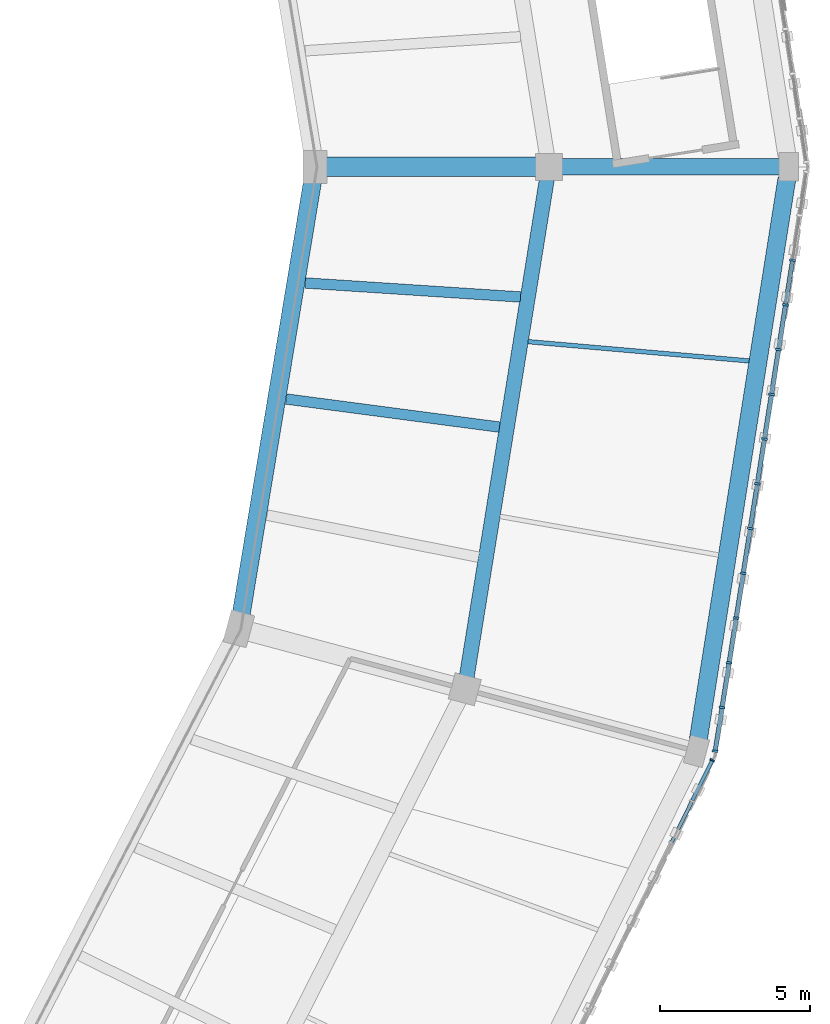
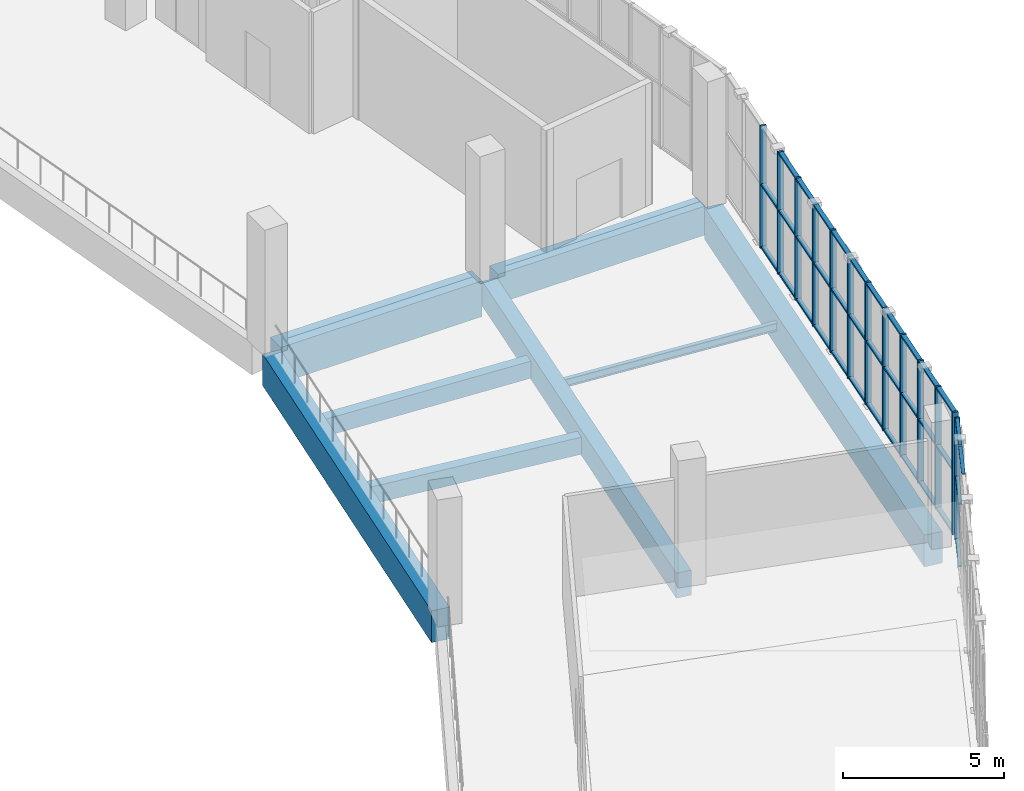
# One storey, part 19 of 64: 49 members, 8 beams, 2 elements without a shape of their own.
"""IFC4 building model written with IfcOpenShell, lengths in metres."""

from ifc_helpers import new_model, si_unit, direction, frame, origin, origin_2d, place, context, subcontext, project, spatial, rectangle, i_section, extrude, material, material_profile, profile_set, type_object, element, aggregate, save


model = new_model("IFC4")

# Units and contexts
model_context = context("Model", 3, precision=1e-05, world=origin(), true_north=direction((0.0, 1.0)))
body_context = subcontext(model_context, "Body", "Model", "MODEL_VIEW")
ifc_project = project(units=[si_unit("LENGTHUNIT", "METRE"), si_unit("AREAUNIT", "SQUARE_METRE"), si_unit("VOLUMEUNIT", "CUBIC_METRE"), si_unit("PLANEANGLEUNIT", "RADIAN"), si_unit("MASSUNIT", "GRAM", prefix="KILO")], contexts=[model_context])

# Site, building, storey
site_placement = place(None, origin())
site = spatial("IfcSite", under=ifc_project, at=site_placement, CompositionType="ELEMENT")
building_placement = place(site_placement, origin())
building = spatial("IfcBuilding", under=site, at=building_placement, Name="Zevraka Park Crest Stadium", CompositionType="ELEMENT")
storey_placement = place(building_placement, frame((0.0, 0.0, 24.60009765625)))
storey = spatial("IfcBuildingStorey", under=building, at=storey_placement, Name="L05", CompositionType="ELEMENT", Elevation=24.60009765625)

# Beams
ifc_material_1 = material(Name="Concrete C40/50", Category="concrete")
ifc_material_profile_1 = material_profile(ifc_material_1, rectangle(XDim=0.64990234375, YDim=1.35009765625, at=origin_2d()), Name="RC 1350x650")
ifc_profile_set_1 = profile_set([ifc_material_profile_1], Name="Concrete C40/50")
beam_type_1 = type_object("IfcBeamType", Name="BG01", PredefinedType="BEAM", material=ifc_profile_set_1)
beam_1_placement = place(storey_placement, frame((186.800048828125, 92.0, -0.68505859375), z_axis=(1.0, 0.0, 0.0), x_axis=(0.0, 1.0, 0.0)))
element("IfcBeam", 1, at=beam_1_placement, inside=storey, type_object=beam_type_1, Name="Radial Girder BG01 L05-BC-00", PredefinedType="BEAM", context=body_context, shape_type="SweptSolid", body=[
    extrude(rectangle(XDim=0.64990234375, YDim=1.35009765625, at=origin_2d()), origin(), (0.0, 0.0, 1.0), 7.199951171875),
])
ifc_material_2 = material(Name="Concrete C40/50", Category="concrete")
ifc_material_profile_2 = material_profile(ifc_material_2, rectangle(XDim=0.550048828125, YDim=1.10009765625, at=origin_2d()), Name="RC 1100x550")
ifc_profile_set_2 = profile_set([ifc_material_profile_2], Name="Concrete C40/50")
beam_type_2 = type_object("IfcBeamType", Name="BG02", PredefinedType="BEAM", material=ifc_profile_set_2)
beam_2_placement = place(storey_placement, frame((194.60009765625, 92.0, -0.56005859375), z_axis=(1.0, 0.0, 0.0), x_axis=(0.0, 1.0, 0.0)))
element("IfcBeam", 2, at=beam_2_placement, inside=storey, type_object=beam_type_2, Name="Radial Girder BG02 L05-CD-00", PredefinedType="BEAM", context=body_context, shape_type="SweptSolid", body=[
    extrude(rectangle(XDim=0.550048828125, YDim=1.10009765625, at=origin_2d()), origin(), (0.0, 0.0, 1.0), 7.39990234375),
])

# Curtain wall, member
ifc_material_3 = material(Name="Anodised architectural aluminium and laminated safety glass", Category="aluminium")
curtain_wall_type_1 = type_object("IfcCurtainWallType", Name="CW22", PredefinedType="NOTDEFINED", material=ifc_material_3)
curtain_wall_1_placement = place(storey_placement, origin())
curtain_wall_1 = element("IfcCurtainWall", 3, at=curtain_wall_1_placement, inside=storey, type_object=curtain_wall_type_1, Name="Unitised Ring Curtain Wall CW22 L05-22", PredefinedType="NOTDEFINED")
ifc_material_4 = material(Name="Anodised architectural aluminium", Category="aluminium")
ifc_material_profile_3 = material_profile(ifc_material_4, rectangle(XDim=0.159912109375, YDim=0.06005859375, at=origin_2d()), Name="ALU MULLION 160x60")
ifc_profile_set_3 = profile_set([ifc_material_profile_3], Name="Anodised architectural aluminium")
member_type_1 = type_object("IfcMemberType", Name="CM01", PredefinedType="MULLION", material=ifc_profile_set_3)
member_1_placement = place(storey_placement, frame((199.751708984375, 72.213134765625, 0.0), z_axis=(0.0, 0.0, 1.0), x_axis=(-0.895879320455, 0.444297471499, 0.0)))
member_1 = element("IfcMember", 4, at=member_1_placement, type_object=member_type_1, Name="CW22 mullion 14", PredefinedType="MULLION", context=body_context, shape_type="SweptSolid", body=[
    extrude(rectangle(XDim=0.159912109375, YDim=0.06005859375, at=origin_2d()), origin(), (0.0, 0.0, 1.0), 4.619873046875),
])

# Curtain wall, members
ifc_material_5 = material(Name="Anodised architectural aluminium and laminated safety glass", Category="aluminium")
curtain_wall_type_2 = type_object("IfcCurtainWallType", Name="CW21", PredefinedType="NOTDEFINED", material=ifc_material_5)
curtain_wall_2_placement = place(storey_placement, origin())
curtain_wall_2 = element("IfcCurtainWall", 5, at=curtain_wall_2_placement, inside=storey, type_object=curtain_wall_type_2, Name="Unitised Ring Curtain Wall CW21 L05-23", PredefinedType="NOTDEFINED")
ifc_material_6 = material(Name="Anodised architectural aluminium", Category="aluminium")
ifc_material_profile_4 = material_profile(ifc_material_6, rectangle(XDim=0.199951171875, YDim=0.070068359375, at=origin_2d()), Name="ALU MULLION 200x70")
ifc_profile_set_4 = profile_set([ifc_material_profile_4], Name="Anodised architectural aluminium")
member_type_2 = type_object("IfcMemberType", Name="CM03", PredefinedType="MULLION", material=ifc_profile_set_4)
member_2_placement = place(storey_placement, frame((199.847412109375, 72.515625, 0.0), z_axis=(0.0, 0.0, 1.0), x_axis=(-0.987802580924, 0.155711467527, 0.0)))
member_2 = element("IfcMember", 6, at=member_2_placement, type_object=member_type_2, Name="CW21 mullion 1", PredefinedType="MULLION", context=body_context, shape_type="SweptSolid", body=[
    extrude(rectangle(XDim=0.199951171875, YDim=0.070068359375, at=origin_2d()), origin(), (0.0, 0.0, 1.0), 4.619873046875),
])
member_3_placement = place(storey_placement, frame((200.0771484375, 73.97265625, 0.0), z_axis=(0.0, 0.0, 1.0), x_axis=(-0.987802580924, 0.155711467527, 0.0)))
member_3 = element("IfcMember", 7, at=member_3_placement, type_object=member_type_2, Name="CW21 mullion 2", PredefinedType="MULLION", context=body_context, shape_type="SweptSolid", body=[
    extrude(rectangle(XDim=0.199951171875, YDim=0.070068359375, at=origin_2d()), origin(), (0.0, 0.0, 1.0), 4.619873046875),
])
member_4_placement = place(storey_placement, frame((200.312255859375, 75.464599609375, 0.0), z_axis=(0.0, 0.0, 1.0), x_axis=(-0.987802580924, 0.155711467527, 0.0)))
member_4 = element("IfcMember", 8, at=member_4_placement, type_object=member_type_2, Name="CW21 mullion 3", PredefinedType="MULLION", context=body_context, shape_type="SweptSolid", body=[
    extrude(rectangle(XDim=0.199951171875, YDim=0.070068359375, at=origin_2d()), origin(), (0.0, 0.0, 1.0), 4.619873046875),
])
member_5_placement = place(storey_placement, frame((200.54736328125, 76.956298828125, 0.0), z_axis=(0.0, 0.0, 1.0), x_axis=(-0.987802580924, 0.155711467527, 0.0)))
member_5 = element("IfcMember", 9, at=member_5_placement, type_object=member_type_2, Name="CW21 mullion 4", PredefinedType="MULLION", context=body_context, shape_type="SweptSolid", body=[
    extrude(rectangle(XDim=0.199951171875, YDim=0.070068359375, at=origin_2d()), origin(), (0.0, 0.0, 1.0), 4.619873046875),
])
member_6_placement = place(storey_placement, frame((200.78271484375, 78.447998046875, 0.0), z_axis=(0.0, 0.0, 1.0), x_axis=(-0.987802580924, 0.155711467527, 0.0)))
member_6 = element("IfcMember", 10, at=member_6_placement, type_object=member_type_2, Name="CW21 mullion 5", PredefinedType="MULLION", context=body_context, shape_type="SweptSolid", body=[
    extrude(rectangle(XDim=0.199951171875, YDim=0.070068359375, at=origin_2d()), origin(), (0.0, 0.0, 1.0), 4.619873046875),
])
member_7_placement = place(storey_placement, frame((201.017822265625, 79.93994140625, 0.0), z_axis=(0.0, 0.0, 1.0), x_axis=(-0.987802580924, 0.155711467527, 0.0)))
member_7 = element("IfcMember", 11, at=member_7_placement, type_object=member_type_2, Name="CW21 mullion 6", PredefinedType="MULLION", context=body_context, shape_type="SweptSolid", body=[
    extrude(rectangle(XDim=0.199951171875, YDim=0.070068359375, at=origin_2d()), origin(), (0.0, 0.0, 1.0), 4.619873046875),
])
member_8_placement = place(storey_placement, frame((201.2529296875, 81.431640625, 0.0), z_axis=(0.0, 0.0, 1.0), x_axis=(-0.987802580924, 0.155711467527, 0.0)))
member_8 = element("IfcMember", 12, at=member_8_placement, type_object=member_type_2, Name="CW21 mullion 7", PredefinedType="MULLION", context=body_context, shape_type="SweptSolid", body=[
    extrude(rectangle(XDim=0.199951171875, YDim=0.070068359375, at=origin_2d()), origin(), (0.0, 0.0, 1.0), 4.619873046875),
])
member_9_placement = place(storey_placement, frame((201.488037109375, 82.92333984375, 0.0), z_axis=(0.0, 0.0, 1.0), x_axis=(-0.987802580924, 0.155711467527, 0.0)))
member_9 = element("IfcMember", 13, at=member_9_placement, type_object=member_type_2, Name="CW21 mullion 8", PredefinedType="MULLION", context=body_context, shape_type="SweptSolid", body=[
    extrude(rectangle(XDim=0.199951171875, YDim=0.070068359375, at=origin_2d()), origin(), (0.0, 0.0, 1.0), 4.619873046875),
])
member_10_placement = place(storey_placement, frame((201.72314453125, 84.4150390625, 0.0), z_axis=(0.0, 0.0, 1.0), x_axis=(-0.987802580924, 0.155711467527, 0.0)))
member_10 = element("IfcMember", 14, at=member_10_placement, type_object=member_type_2, Name="CW21 mullion 9", PredefinedType="MULLION", context=body_context, shape_type="SweptSolid", body=[
    extrude(rectangle(XDim=0.199951171875, YDim=0.070068359375, at=origin_2d()), origin(), (0.0, 0.0, 1.0), 4.619873046875),
])
member_11_placement = place(storey_placement, frame((201.95849609375, 85.906982421875, 0.0), z_axis=(0.0, 0.0, 1.0), x_axis=(-0.987802580924, 0.155711467527, 0.0)))
member_11 = element("IfcMember", 15, at=member_11_placement, type_object=member_type_2, Name="CW21 mullion 10", PredefinedType="MULLION", context=body_context, shape_type="SweptSolid", body=[
    extrude(rectangle(XDim=0.199951171875, YDim=0.070068359375, at=origin_2d()), origin(), (0.0, 0.0, 1.0), 4.619873046875),
])
member_12_placement = place(storey_placement, frame((202.193603515625, 87.398681640625, 0.0), z_axis=(0.0, 0.0, 1.0), x_axis=(-0.987802580924, 0.155711467527, 0.0)))
member_12 = element("IfcMember", 16, at=member_12_placement, type_object=member_type_2, Name="CW21 mullion 11", PredefinedType="MULLION", context=body_context, shape_type="SweptSolid", body=[
    extrude(rectangle(XDim=0.199951171875, YDim=0.070068359375, at=origin_2d()), origin(), (0.0, 0.0, 1.0), 4.619873046875),
])
member_13_placement = place(storey_placement, frame((202.4287109375, 88.890380859375, 0.0), z_axis=(0.0, 0.0, 1.0), x_axis=(-0.987802580924, 0.155711467527, 0.0)))
member_13 = element("IfcMember", 17, at=member_13_placement, type_object=member_type_2, Name="CW21 mullion 12", PredefinedType="MULLION", context=body_context, shape_type="SweptSolid", body=[
    extrude(rectangle(XDim=0.199951171875, YDim=0.070068359375, at=origin_2d()), origin(), (0.0, 0.0, 1.0), 4.619873046875),
])

# Member
ifc_material_7 = material(Name="Anodised architectural aluminium", Category="aluminium")
ifc_material_profile_5 = material_profile(ifc_material_7, rectangle(XDim=0.1201171875, YDim=0.06005859375, at=origin_2d()), Name="ALU TRANSOM 120x60")
ifc_profile_set_5 = profile_set([ifc_material_profile_5], Name="Anodised architectural aluminium")
member_type_3 = type_object("IfcMemberType", Name="CT01", PredefinedType="USERDEFINED", material=ifc_profile_set_5)
member_14_placement = place(storey_placement, frame((198.39892578125, 69.485595703125, 4.58984375), z_axis=(0.444331954809, 0.895862218165, 0.0), x_axis=(-0.895862218165, 0.444331954809, 0.0)))
member_14 = element("IfcMember", 18, at=member_14_placement, type_object=member_type_3, Name="CW22 transom 12.3", ObjectType="TRANSOM", PredefinedType="USERDEFINED", context=body_context, shape_type="SweptSolid", body=[
    extrude(rectangle(XDim=0.1201171875, YDim=0.06005859375, at=origin_2d()), origin(), (0.0, 0.0, 1.0), 1.492431640625),
])

member_15_placement = place(storey_placement, frame((199.088623046875, 70.876220703125, 0.02978515625), z_axis=(0.444272737826, 0.895891586312, 0.0), x_axis=(-0.895891586312, 0.444272737826, 0.0)))
member_15 = element("IfcMember", 19, at=member_15_placement, type_object=member_type_3, Name="CW22 transom 13.1", ObjectType="TRANSOM", PredefinedType="USERDEFINED", context=body_context, shape_type="SweptSolid", body=[
    extrude(rectangle(XDim=0.1201171875, YDim=0.06005859375, at=origin_2d()), origin(), (0.0, 0.0, 1.0), 1.46240234375),
])

member_16_placement = place(storey_placement, frame((199.088623046875, 70.876220703125, 2.39990234375), z_axis=(0.444272737826, 0.895891586312, 0.0), x_axis=(-0.895891586312, 0.444272737826, 0.0)))
member_16 = element("IfcMember", 20, at=member_16_placement, type_object=member_type_3, Name="CW22 transom 13.2", ObjectType="TRANSOM", PredefinedType="USERDEFINED", context=body_context, shape_type="SweptSolid", body=[
    extrude(rectangle(XDim=0.1201171875, YDim=0.06005859375, at=origin_2d()), origin(), (0.0, 0.0, 1.0), 1.46240234375),
])

member_17_placement = place(storey_placement, frame((199.088623046875, 70.876220703125, 4.58984375), z_axis=(0.444272737826, 0.895891586312, 0.0), x_axis=(-0.895891586312, 0.444272737826, 0.0)))
member_17 = element("IfcMember", 21, at=member_17_placement, type_object=member_type_3, Name="CW22 transom 13.3", ObjectType="TRANSOM", PredefinedType="USERDEFINED", context=body_context, shape_type="SweptSolid", body=[
    extrude(rectangle(XDim=0.1201171875, YDim=0.06005859375, at=origin_2d()), origin(), (0.0, 0.0, 1.0), 1.46240234375),
])

aggregate(curtain_wall_1, [member_1, member_14, member_15, member_16, member_17])

ifc_material_8 = material(Name="Anodised architectural aluminium", Category="aluminium")
ifc_material_profile_6 = material_profile(ifc_material_8, rectangle(XDim=0.14990234375, YDim=0.070068359375, at=origin_2d()), Name="ALU TRANSOM 150x70")
ifc_profile_set_6 = profile_set([ifc_material_profile_6], Name="Anodised architectural aluminium")
member_type_4 = type_object("IfcMemberType", Name="CT03", PredefinedType="USERDEFINED", material=ifc_profile_set_6)
member_18_placement = place(storey_placement, frame((199.852783203125, 72.550048828125, 0.034912109375), z_axis=(0.155828759043, 0.987784084634, 0.0), x_axis=(-0.987784084634, 0.155828759043, 0.0)))
member_18 = element("IfcMember", 22, at=member_18_placement, type_object=member_type_4, Name="CW21 transom 1.1", ObjectType="TRANSOM", PredefinedType="USERDEFINED", context=body_context, shape_type="SweptSolid", body=[
    extrude(rectangle(XDim=0.14990234375, YDim=0.070068359375, at=origin_2d()), origin(), (0.0, 0.0, 1.0), 1.4052734375),
])

member_19_placement = place(storey_placement, frame((199.852783203125, 72.550048828125, 2.39990234375), z_axis=(0.155828759043, 0.987784084634, 0.0), x_axis=(-0.987784084634, 0.155828759043, 0.0)))
member_19 = element("IfcMember", 23, at=member_19_placement, type_object=member_type_4, Name="CW21 transom 1.2", ObjectType="TRANSOM", PredefinedType="USERDEFINED", context=body_context, shape_type="SweptSolid", body=[
    extrude(rectangle(XDim=0.14990234375, YDim=0.070068359375, at=origin_2d()), origin(), (0.0, 0.0, 1.0), 1.4052734375),
])

member_20_placement = place(storey_placement, frame((199.852783203125, 72.550048828125, 4.5849609375), z_axis=(0.155828759043, 0.987784084634, 0.0), x_axis=(-0.987784084634, 0.155828759043, 0.0)))
member_20 = element("IfcMember", 24, at=member_20_placement, type_object=member_type_4, Name="CW21 transom 1.3", ObjectType="TRANSOM", PredefinedType="USERDEFINED", context=body_context, shape_type="SweptSolid", body=[
    extrude(rectangle(XDim=0.14990234375, YDim=0.070068359375, at=origin_2d()), origin(), (0.0, 0.0, 1.0), 1.4052734375),
])

member_21_placement = place(storey_placement, frame((200.08251953125, 74.00732421875, 0.034912109375), z_axis=(0.155788469887, 0.987790439643, 0.0), x_axis=(-0.987790439643, 0.155788469887, 0.0)))
member_21 = element("IfcMember", 25, at=member_21_placement, type_object=member_type_4, Name="CW21 transom 2.1", ObjectType="TRANSOM", PredefinedType="USERDEFINED", context=body_context, shape_type="SweptSolid", body=[
    extrude(rectangle(XDim=0.14990234375, YDim=0.070068359375, at=origin_2d()), origin(), (0.0, 0.0, 1.0), 1.440185546875),
])

member_22_placement = place(storey_placement, frame((200.08251953125, 74.00732421875, 2.39990234375), z_axis=(0.155788469887, 0.987790439643, 0.0), x_axis=(-0.987790439643, 0.155788469887, 0.0)))
member_22 = element("IfcMember", 26, at=member_22_placement, type_object=member_type_4, Name="CW21 transom 2.2", ObjectType="TRANSOM", PredefinedType="USERDEFINED", context=body_context, shape_type="SweptSolid", body=[
    extrude(rectangle(XDim=0.14990234375, YDim=0.070068359375, at=origin_2d()), origin(), (0.0, 0.0, 1.0), 1.440185546875),
])

member_23_placement = place(storey_placement, frame((200.08251953125, 74.00732421875, 4.5849609375), z_axis=(0.155788469887, 0.987790439643, 0.0), x_axis=(-0.987790439643, 0.155788469887, 0.0)))
member_23 = element("IfcMember", 27, at=member_23_placement, type_object=member_type_4, Name="CW21 transom 2.3", ObjectType="TRANSOM", PredefinedType="USERDEFINED", context=body_context, shape_type="SweptSolid", body=[
    extrude(rectangle(XDim=0.14990234375, YDim=0.070068359375, at=origin_2d()), origin(), (0.0, 0.0, 1.0), 1.440185546875),
])

member_24_placement = place(storey_placement, frame((200.31787109375, 75.4990234375, 0.034912109375), z_axis=(0.155623058031, 0.98781651323, 0.0), x_axis=(-0.98781651323, 0.155623058031, 0.0)))
member_24 = element("IfcMember", 28, at=member_24_placement, type_object=member_type_4, Name="CW21 transom 3.1", ObjectType="TRANSOM", PredefinedType="USERDEFINED", context=body_context, shape_type="SweptSolid", body=[
    extrude(rectangle(XDim=0.14990234375, YDim=0.070068359375, at=origin_2d()), origin(), (0.0, 0.0, 1.0), 1.440185546875),
])

member_25_placement = place(storey_placement, frame((200.31787109375, 75.4990234375, 2.39990234375), z_axis=(0.155623058031, 0.98781651323, 0.0), x_axis=(-0.98781651323, 0.155623058031, 0.0)))
member_25 = element("IfcMember", 29, at=member_25_placement, type_object=member_type_4, Name="CW21 transom 3.2", ObjectType="TRANSOM", PredefinedType="USERDEFINED", context=body_context, shape_type="SweptSolid", body=[
    extrude(rectangle(XDim=0.14990234375, YDim=0.070068359375, at=origin_2d()), origin(), (0.0, 0.0, 1.0), 1.440185546875),
])

member_26_placement = place(storey_placement, frame((200.31787109375, 75.4990234375, 4.5849609375), z_axis=(0.155623058031, 0.98781651323, 0.0), x_axis=(-0.98781651323, 0.155623058031, 0.0)))
member_26 = element("IfcMember", 30, at=member_26_placement, type_object=member_type_4, Name="CW21 transom 3.3", ObjectType="TRANSOM", PredefinedType="USERDEFINED", context=body_context, shape_type="SweptSolid", body=[
    extrude(rectangle(XDim=0.14990234375, YDim=0.070068359375, at=origin_2d()), origin(), (0.0, 0.0, 1.0), 1.440185546875),
])

member_27_placement = place(storey_placement, frame((200.552978515625, 76.990966796875, 0.034912109375), z_axis=(0.155623058031, 0.98781651323, 0.0), x_axis=(-0.98781651323, 0.155623058031, 0.0)))
member_27 = element("IfcMember", 31, at=member_27_placement, type_object=member_type_4, Name="CW21 transom 4.1", ObjectType="TRANSOM", PredefinedType="USERDEFINED", context=body_context, shape_type="SweptSolid", body=[
    extrude(rectangle(XDim=0.14990234375, YDim=0.070068359375, at=origin_2d()), origin(), (0.0, 0.0, 1.0), 1.440185546875),
])

member_28_placement = place(storey_placement, frame((200.552978515625, 76.990966796875, 2.39990234375), z_axis=(0.155623058031, 0.98781651323, 0.0), x_axis=(-0.98781651323, 0.155623058031, 0.0)))
member_28 = element("IfcMember", 32, at=member_28_placement, type_object=member_type_4, Name="CW21 transom 4.2", ObjectType="TRANSOM", PredefinedType="USERDEFINED", context=body_context, shape_type="SweptSolid", body=[
    extrude(rectangle(XDim=0.14990234375, YDim=0.070068359375, at=origin_2d()), origin(), (0.0, 0.0, 1.0), 1.440185546875),
])

member_29_placement = place(storey_placement, frame((200.552978515625, 76.990966796875, 4.5849609375), z_axis=(0.155623058031, 0.98781651323, 0.0), x_axis=(-0.98781651323, 0.155623058031, 0.0)))
member_29 = element("IfcMember", 33, at=member_29_placement, type_object=member_type_4, Name="CW21 transom 4.3", ObjectType="TRANSOM", PredefinedType="USERDEFINED", context=body_context, shape_type="SweptSolid", body=[
    extrude(rectangle(XDim=0.14990234375, YDim=0.070068359375, at=origin_2d()), origin(), (0.0, 0.0, 1.0), 1.440185546875),
])

member_30_placement = place(storey_placement, frame((200.7880859375, 78.482666015625, 0.034912109375), z_axis=(0.155623058031, 0.98781651323, 0.0), x_axis=(-0.98781651323, 0.155623058031, 0.0)))
member_30 = element("IfcMember", 34, at=member_30_placement, type_object=member_type_4, Name="CW21 transom 5.1", ObjectType="TRANSOM", PredefinedType="USERDEFINED", context=body_context, shape_type="SweptSolid", body=[
    extrude(rectangle(XDim=0.14990234375, YDim=0.070068359375, at=origin_2d()), origin(), (0.0, 0.0, 1.0), 1.440185546875),
])

member_31_placement = place(storey_placement, frame((200.7880859375, 78.482666015625, 2.39990234375), z_axis=(0.155623058031, 0.98781651323, 0.0), x_axis=(-0.98781651323, 0.155623058031, 0.0)))
member_31 = element("IfcMember", 35, at=member_31_placement, type_object=member_type_4, Name="CW21 transom 5.2", ObjectType="TRANSOM", PredefinedType="USERDEFINED", context=body_context, shape_type="SweptSolid", body=[
    extrude(rectangle(XDim=0.14990234375, YDim=0.070068359375, at=origin_2d()), origin(), (0.0, 0.0, 1.0), 1.440185546875),
])

member_32_placement = place(storey_placement, frame((200.7880859375, 78.482666015625, 4.5849609375), z_axis=(0.155623058031, 0.98781651323, 0.0), x_axis=(-0.98781651323, 0.155623058031, 0.0)))
member_32 = element("IfcMember", 36, at=member_32_placement, type_object=member_type_4, Name="CW21 transom 5.3", ObjectType="TRANSOM", PredefinedType="USERDEFINED", context=body_context, shape_type="SweptSolid", body=[
    extrude(rectangle(XDim=0.14990234375, YDim=0.070068359375, at=origin_2d()), origin(), (0.0, 0.0, 1.0), 1.440185546875),
])

member_33_placement = place(storey_placement, frame((201.023193359375, 79.974365234375, 0.034912109375), z_axis=(0.155788469887, 0.987790439643, 0.0), x_axis=(-0.987790439643, 0.155788469887, 0.0)))
member_33 = element("IfcMember", 37, at=member_33_placement, type_object=member_type_4, Name="CW21 transom 6.1", ObjectType="TRANSOM", PredefinedType="USERDEFINED", context=body_context, shape_type="SweptSolid", body=[
    extrude(rectangle(XDim=0.14990234375, YDim=0.070068359375, at=origin_2d()), origin(), (0.0, 0.0, 1.0), 1.440185546875),
])

member_34_placement = place(storey_placement, frame((201.023193359375, 79.974365234375, 2.39990234375), z_axis=(0.155788469887, 0.987790439643, 0.0), x_axis=(-0.987790439643, 0.155788469887, 0.0)))
member_34 = element("IfcMember", 38, at=member_34_placement, type_object=member_type_4, Name="CW21 transom 6.2", ObjectType="TRANSOM", PredefinedType="USERDEFINED", context=body_context, shape_type="SweptSolid", body=[
    extrude(rectangle(XDim=0.14990234375, YDim=0.070068359375, at=origin_2d()), origin(), (0.0, 0.0, 1.0), 1.440185546875),
])

member_35_placement = place(storey_placement, frame((201.023193359375, 79.974365234375, 4.5849609375), z_axis=(0.155788469887, 0.987790439643, 0.0), x_axis=(-0.987790439643, 0.155788469887, 0.0)))
member_35 = element("IfcMember", 39, at=member_35_placement, type_object=member_type_4, Name="CW21 transom 6.3", ObjectType="TRANSOM", PredefinedType="USERDEFINED", context=body_context, shape_type="SweptSolid", body=[
    extrude(rectangle(XDim=0.14990234375, YDim=0.070068359375, at=origin_2d()), origin(), (0.0, 0.0, 1.0), 1.440185546875),
])

member_36_placement = place(storey_placement, frame((201.25830078125, 81.46630859375, 0.034912109375), z_axis=(0.155788469887, 0.987790439643, 0.0), x_axis=(-0.987790439643, 0.155788469887, 0.0)))
member_36 = element("IfcMember", 40, at=member_36_placement, type_object=member_type_4, Name="CW21 transom 7.1", ObjectType="TRANSOM", PredefinedType="USERDEFINED", context=body_context, shape_type="SweptSolid", body=[
    extrude(rectangle(XDim=0.14990234375, YDim=0.070068359375, at=origin_2d()), origin(), (0.0, 0.0, 1.0), 1.440185546875),
])

member_37_placement = place(storey_placement, frame((201.25830078125, 81.46630859375, 2.39990234375), z_axis=(0.155788469887, 0.987790439643, 0.0), x_axis=(-0.987790439643, 0.155788469887, 0.0)))
member_37 = element("IfcMember", 41, at=member_37_placement, type_object=member_type_4, Name="CW21 transom 7.2", ObjectType="TRANSOM", PredefinedType="USERDEFINED", context=body_context, shape_type="SweptSolid", body=[
    extrude(rectangle(XDim=0.14990234375, YDim=0.070068359375, at=origin_2d()), origin(), (0.0, 0.0, 1.0), 1.440185546875),
])

member_38_placement = place(storey_placement, frame((201.25830078125, 81.46630859375, 4.5849609375), z_axis=(0.155788469887, 0.987790439643, 0.0), x_axis=(-0.987790439643, 0.155788469887, 0.0)))
member_38 = element("IfcMember", 42, at=member_38_placement, type_object=member_type_4, Name="CW21 transom 7.3", ObjectType="TRANSOM", PredefinedType="USERDEFINED", context=body_context, shape_type="SweptSolid", body=[
    extrude(rectangle(XDim=0.14990234375, YDim=0.070068359375, at=origin_2d()), origin(), (0.0, 0.0, 1.0), 1.440185546875),
])

member_39_placement = place(storey_placement, frame((201.493408203125, 82.9580078125, 0.034912109375), z_axis=(0.155788469887, 0.987790439643, 0.0), x_axis=(-0.987790439643, 0.155788469887, 0.0)))
member_39 = element("IfcMember", 43, at=member_39_placement, type_object=member_type_4, Name="CW21 transom 8.1", ObjectType="TRANSOM", PredefinedType="USERDEFINED", context=body_context, shape_type="SweptSolid", body=[
    extrude(rectangle(XDim=0.14990234375, YDim=0.070068359375, at=origin_2d()), origin(), (0.0, 0.0, 1.0), 1.440185546875),
])

member_40_placement = place(storey_placement, frame((201.493408203125, 82.9580078125, 2.39990234375), z_axis=(0.155788469887, 0.987790439643, 0.0), x_axis=(-0.987790439643, 0.155788469887, 0.0)))
member_40 = element("IfcMember", 44, at=member_40_placement, type_object=member_type_4, Name="CW21 transom 8.2", ObjectType="TRANSOM", PredefinedType="USERDEFINED", context=body_context, shape_type="SweptSolid", body=[
    extrude(rectangle(XDim=0.14990234375, YDim=0.070068359375, at=origin_2d()), origin(), (0.0, 0.0, 1.0), 1.440185546875),
])

member_41_placement = place(storey_placement, frame((201.493408203125, 82.9580078125, 4.5849609375), z_axis=(0.155788469887, 0.987790439643, 0.0), x_axis=(-0.987790439643, 0.155788469887, 0.0)))
member_41 = element("IfcMember", 45, at=member_41_placement, type_object=member_type_4, Name="CW21 transom 8.3", ObjectType="TRANSOM", PredefinedType="USERDEFINED", context=body_context, shape_type="SweptSolid", body=[
    extrude(rectangle(XDim=0.14990234375, YDim=0.070068359375, at=origin_2d()), origin(), (0.0, 0.0, 1.0), 1.440185546875),
])

member_42_placement = place(storey_placement, frame((201.728759765625, 84.44970703125, 0.034912109375), z_axis=(0.155623058031, 0.98781651323, 0.0), x_axis=(-0.98781651323, 0.155623058031, 0.0)))
member_42 = element("IfcMember", 46, at=member_42_placement, type_object=member_type_4, Name="CW21 transom 9.1", ObjectType="TRANSOM", PredefinedType="USERDEFINED", context=body_context, shape_type="SweptSolid", body=[
    extrude(rectangle(XDim=0.14990234375, YDim=0.070068359375, at=origin_2d()), origin(), (0.0, 0.0, 1.0), 1.440185546875),
])

member_43_placement = place(storey_placement, frame((201.728759765625, 84.44970703125, 2.39990234375), z_axis=(0.155623058031, 0.98781651323, 0.0), x_axis=(-0.98781651323, 0.155623058031, 0.0)))
member_43 = element("IfcMember", 47, at=member_43_placement, type_object=member_type_4, Name="CW21 transom 9.2", ObjectType="TRANSOM", PredefinedType="USERDEFINED", context=body_context, shape_type="SweptSolid", body=[
    extrude(rectangle(XDim=0.14990234375, YDim=0.070068359375, at=origin_2d()), origin(), (0.0, 0.0, 1.0), 1.440185546875),
])

member_44_placement = place(storey_placement, frame((201.728759765625, 84.44970703125, 4.5849609375), z_axis=(0.155623058031, 0.98781651323, 0.0), x_axis=(-0.98781651323, 0.155623058031, 0.0)))
member_44 = element("IfcMember", 48, at=member_44_placement, type_object=member_type_4, Name="CW21 transom 9.3", ObjectType="TRANSOM", PredefinedType="USERDEFINED", context=body_context, shape_type="SweptSolid", body=[
    extrude(rectangle(XDim=0.14990234375, YDim=0.070068359375, at=origin_2d()), origin(), (0.0, 0.0, 1.0), 1.440185546875),
])

member_45_placement = place(storey_placement, frame((201.9638671875, 85.94140625, 0.034912109375), z_axis=(0.155623058031, 0.98781651323, 0.0), x_axis=(-0.98781651323, 0.155623058031, 0.0)))
member_45 = element("IfcMember", 49, at=member_45_placement, type_object=member_type_4, Name="CW21 transom 10.1", ObjectType="TRANSOM", PredefinedType="USERDEFINED", context=body_context, shape_type="SweptSolid", body=[
    extrude(rectangle(XDim=0.14990234375, YDim=0.070068359375, at=origin_2d()), origin(), (0.0, 0.0, 1.0), 1.440185546875),
])

member_46_placement = place(storey_placement, frame((201.9638671875, 85.94140625, 2.39990234375), z_axis=(0.155623058031, 0.98781651323, 0.0), x_axis=(-0.98781651323, 0.155623058031, 0.0)))
member_46 = element("IfcMember", 50, at=member_46_placement, type_object=member_type_4, Name="CW21 transom 10.2", ObjectType="TRANSOM", PredefinedType="USERDEFINED", context=body_context, shape_type="SweptSolid", body=[
    extrude(rectangle(XDim=0.14990234375, YDim=0.070068359375, at=origin_2d()), origin(), (0.0, 0.0, 1.0), 1.440185546875),
])

member_47_placement = place(storey_placement, frame((201.9638671875, 85.94140625, 4.5849609375), z_axis=(0.155623058031, 0.98781651323, 0.0), x_axis=(-0.98781651323, 0.155623058031, 0.0)))
member_47 = element("IfcMember", 51, at=member_47_placement, type_object=member_type_4, Name="CW21 transom 10.3", ObjectType="TRANSOM", PredefinedType="USERDEFINED", context=body_context, shape_type="SweptSolid", body=[
    extrude(rectangle(XDim=0.14990234375, YDim=0.070068359375, at=origin_2d()), origin(), (0.0, 0.0, 1.0), 1.440185546875),
])

member_48_placement = place(storey_placement, frame((202.198974609375, 87.433349609375, 0.034912109375), z_axis=(0.155788469887, 0.987790439643, 0.0), x_axis=(-0.987790439643, 0.155788469887, 0.0)))
member_48 = element("IfcMember", 52, at=member_48_placement, type_object=member_type_4, Name="CW21 transom 11.1", ObjectType="TRANSOM", PredefinedType="USERDEFINED", context=body_context, shape_type="SweptSolid", body=[
    extrude(rectangle(XDim=0.14990234375, YDim=0.070068359375, at=origin_2d()), origin(), (0.0, 0.0, 1.0), 1.440185546875),
])

member_49_placement = place(storey_placement, frame((202.198974609375, 87.433349609375, 2.39990234375), z_axis=(0.155788469887, 0.987790439643, 0.0), x_axis=(-0.987790439643, 0.155788469887, 0.0)))
member_49 = element("IfcMember", 53, at=member_49_placement, type_object=member_type_4, Name="CW21 transom 11.2", ObjectType="TRANSOM", PredefinedType="USERDEFINED", context=body_context, shape_type="SweptSolid", body=[
    extrude(rectangle(XDim=0.14990234375, YDim=0.070068359375, at=origin_2d()), origin(), (0.0, 0.0, 1.0), 1.440185546875),
])

aggregate(curtain_wall_2, [member_2, member_3, member_4, member_5, member_6, member_7, member_8, member_9, member_10, member_11, member_12, member_13, member_18, member_19, member_20, member_21, member_22, member_23, member_24, member_25, member_26, member_27, member_28, member_29, member_30, member_31, member_32, member_33, member_34, member_35, member_36, member_37, member_38, member_39, member_40, member_41, member_42, member_43, member_44, member_45, member_46, member_47, member_48, member_49])

# Beams
ifc_material_9 = material(Name="Concrete C40/50", Category="concrete")
ifc_material_profile_7 = material_profile(ifc_material_9, rectangle(XDim=0.60009765625, YDim=1.199951171875, at=origin_2d()), Name="RC 1200x600")
ifc_profile_set_7 = profile_set([ifc_material_profile_7], Name="Concrete C40/50")
beam_type_3 = type_object("IfcBeamType", Name="RB01", PredefinedType="BEAM", material=ifc_profile_set_7)
beam_3_placement = place(storey_placement, frame((184.02294921875, 76.97509765625, -0.610107421875), z_axis=(0.162654875862, 0.986683024764, 0.0), x_axis=(-0.986683024764, 0.162654875862, 0.0)))
element("IfcBeam", 54, at=beam_3_placement, inside=storey, type_object=beam_type_3, Name="Ring Beam RB01 L05-B-23", PredefinedType="BEAM", context=body_context, shape_type="SweptSolid", body=[
    extrude(rectangle(XDim=0.60009765625, YDim=1.199951171875, at=origin_2d()), origin(), (0.0, 0.0, 1.0), 14.84765625),
])
beam_4_placement = place(storey_placement, frame((199.281982421875, 72.885986328125, -0.610107421875), z_axis=(0.155972486086, 0.987761400129, 0.0), x_axis=(-0.987761400129, 0.155972486086, 0.0)))
element("IfcBeam", 55, at=beam_4_placement, inside=storey, type_object=beam_type_3, Name="Ring Beam RB01 L05-D-23", PredefinedType="BEAM", context=body_context, shape_type="SweptSolid", body=[
    extrude(rectangle(XDim=0.60009765625, YDim=1.199951171875, at=origin_2d()), origin(), (0.0, 0.0, 1.0), 18.97119140625),
])
ifc_material_10 = material(Name="Concrete C40/50", Category="concrete")
ifc_material_profile_8 = material_profile(ifc_material_10, rectangle(XDim=0.5, YDim=0.949951171875, at=origin_2d()), Name="RC 950x500")
ifc_profile_set_8 = profile_set([ifc_material_profile_8], Name="Concrete C40/50")
beam_type_4 = type_object("IfcBeamType", Name="RB02", PredefinedType="BEAM", material=ifc_profile_set_8)
beam_5_placement = place(storey_placement, frame((191.555908203125, 74.9560546875, -0.485107421875), z_axis=(0.158975112778, 0.987282590507, 0.0), x_axis=(-0.987282590507, 0.158975112778, 0.0)))
element("IfcBeam", 56, at=beam_5_placement, inside=storey, type_object=beam_type_4, Name="Ring Beam RB02 L05-C-23", PredefinedType="BEAM", context=body_context, shape_type="SweptSolid", body=[
    extrude(rectangle(XDim=0.5, YDim=0.949951171875, at=origin_2d()), origin(), (0.0, 0.0, 1.0), 16.883544921875),
])
ifc_material_11 = material(Name="Steel S355", Category="steel")
ifc_material_profile_9 = material_profile(ifc_material_11, i_section(OverallWidth=0.14990234375, OverallDepth=0.300048828125, WebThickness=0.007080078125, FlangeThickness=0.0107421875, at=origin_2d()), Name="IPE 300")
ifc_profile_set_9 = profile_set([ifc_material_profile_9], Name="Steel S355")
beam_type_5 = type_object("IfcBeamType", Name="SJ01", PredefinedType="JOIST", material=ifc_profile_set_9)
beam_6_placement = place(storey_placement, frame((193.60888671875, 86.172119140625, -0.418212890625), z_axis=(0.996216033434, -0.086911533918, 0.0), x_axis=(0.086911533918, 0.996216033434, 0.0)))
element("IfcBeam", 57, at=beam_6_placement, inside=storey, type_object=beam_type_5, Name="Floor Joist SJ01 L05-CD-23-2", PredefinedType="JOIST", context=body_context, shape_type="SweptSolid", body=[
    extrude(i_section(OverallWidth=0.14990234375, OverallDepth=0.300048828125, WebThickness=0.007080078125, FlangeThickness=0.0107421875, at=origin_2d()), origin(), (0.0, 0.0, 1.0), 7.399169921875),
])
ifc_material_12 = material(Name="Concrete C40/50", Category="concrete")
ifc_material_profile_10 = material_profile(ifc_material_12, rectangle(XDim=0.35009765625, YDim=0.64990234375, at=origin_2d()), Name="RC 650x350")
ifc_profile_set_10 = profile_set([ifc_material_profile_10], Name="Concrete C40/50")
beam_type_6 = type_object("IfcBeamType", Name="SJ06", PredefinedType="JOIST", material=ifc_profile_set_10)
beam_7_placement = place(storey_placement, frame((185.54296875, 84.259033203125, -0.593017578125), z_axis=(0.991432387953, -0.130620902302, 0.0), x_axis=(0.130620902302, 0.991432387953, 0.0)))
element("IfcBeam", 58, at=beam_7_placement, inside=storey, type_object=beam_type_6, Name="Floor Joist SJ06 L05-BC-23-2", PredefinedType="JOIST", context=body_context, shape_type="SweptSolid", body=[
    extrude(rectangle(XDim=0.35009765625, YDim=0.64990234375, at=origin_2d()), origin(), (0.0, 0.0, 1.0), 7.173583984375),
])
beam_8_placement = place(storey_placement, frame((186.179931640625, 88.12890625, -0.593017578125), z_axis=(0.997879386875, -0.065090162464, 0.0), x_axis=(0.065090162464, 0.997879386875, 0.0)))
element("IfcBeam", 59, at=beam_8_placement, inside=storey, type_object=beam_type_6, Name="Floor Joist SJ06 L05-BC-23-3", PredefinedType="JOIST", context=body_context, shape_type="SweptSolid", body=[
    extrude(rectangle(XDim=0.35009765625, YDim=0.64990234375, at=origin_2d()), origin(), (0.0, 0.0, 1.0), 7.190185546875),
])

save(model, "model.ifc")
